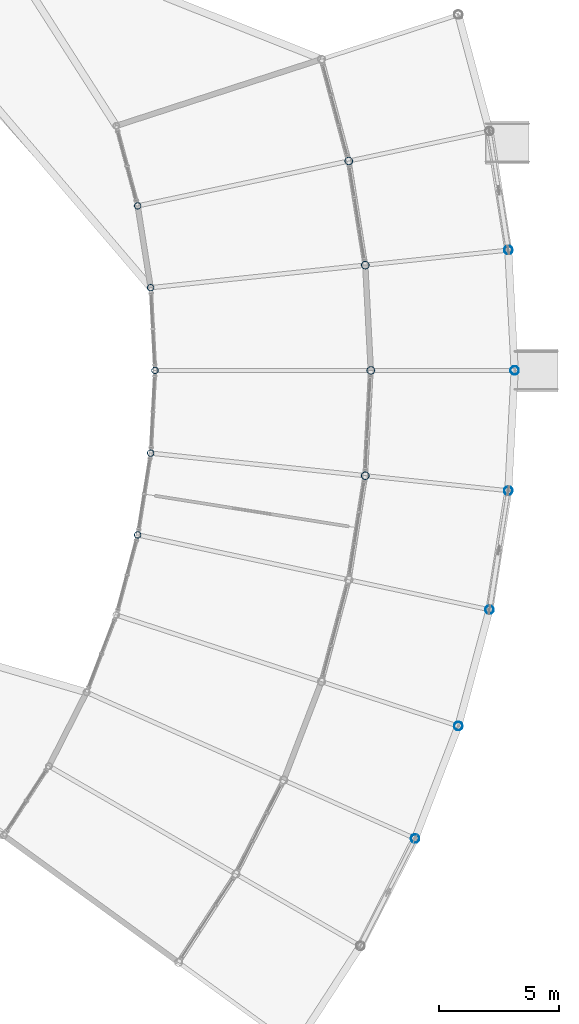
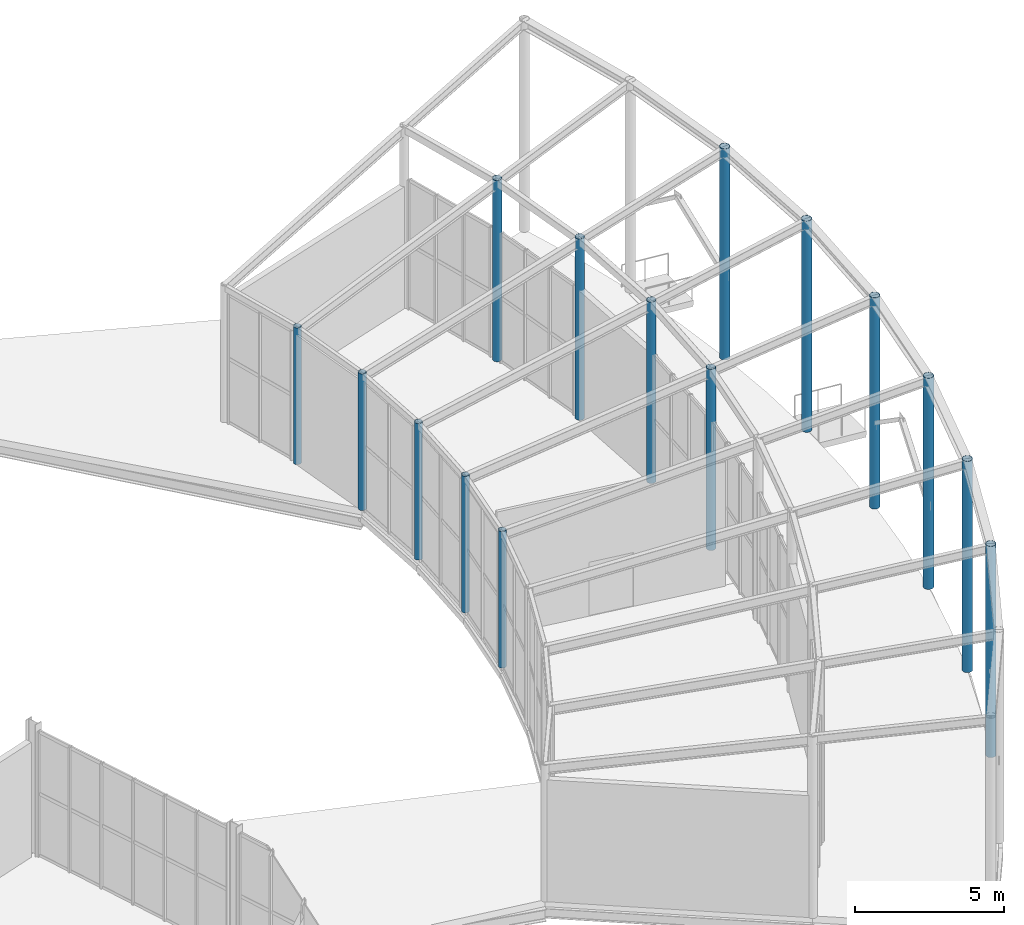
# One storey, part 25 of 158: 15 columns.
"""IFC4 building model written with IfcOpenShell, lengths in metres."""

from ifc_helpers import new_model, si_unit, derived_unit, direction, frame, origin, origin_2d, place, context, subcontext, project, spatial, hollow_circle, extrude, material, material_profile, profile_set, type_object, element, save


model = new_model("IFC4")

# Units and contexts
model_context = context("Model", 3, precision=1e-05, world=origin(), true_north=direction((0.0, 1.0)))
body_context = subcontext(model_context, "Body", "Model", "MODEL_VIEW")
ifc_project = project(units=[si_unit("LENGTHUNIT", "METRE"), si_unit("AREAUNIT", "SQUARE_METRE"), si_unit("VOLUMEUNIT", "CUBIC_METRE"), si_unit("PLANEANGLEUNIT", "RADIAN"), si_unit("MASSUNIT", "GRAM", prefix="KILO"), si_unit("THERMODYNAMICTEMPERATUREUNIT", "KELVIN"), si_unit("TIMEUNIT", "SECOND"), derived_unit("THERMALTRANSMITTANCEUNIT", [(si_unit("MASSUNIT", "GRAM", prefix="KILO"), 1), (si_unit("THERMODYNAMICTEMPERATUREUNIT", "KELVIN"), -1), (si_unit("TIMEUNIT", "SECOND"), -3)])], contexts=[model_context])

# Site, building, storey
site_placement = place(None, origin())
site = spatial("IfcSite", under=ifc_project, at=site_placement, CompositionType="ELEMENT")
building_placement = place(site_placement, origin())
building = spatial("IfcBuilding", under=site, at=building_placement, Name="Cambertide Market Hall", CompositionType="ELEMENT")
storey_placement = place(building_placement, origin())
storey = spatial("IfcBuildingStorey", under=building, at=storey_placement, Name="L01", CompositionType="ELEMENT", Elevation=0.0)

# Columns
ifc_material_1 = material(Name="Steel S355", Category="steel")
ifc_material_profile_1 = material_profile(ifc_material_1, hollow_circle(Radius=0.136474609375, WallThickness=0.010009765625, at=origin_2d()), Name="CHS 273x10")
ifc_profile_set_1 = profile_set([ifc_material_profile_1], Name="Steel S355")
column_type_1 = type_object("IfcColumnType", Name="Exterior Steel Column CHS 273x10", PredefinedType="COLUMN", material=ifc_profile_set_1)
for number, where, z_axis, x_axis, name in (
    (1, (176.27880859375, 59.138916015625, 0.0), (0.0, 0.0, 1.0), (0.978147600734, -0.207911690818, 0.0), "Level 1 Column COL-V5-IN08-L01"),
    (2, (176.8193359375, 62.550537109375, 0.0), (0.0, 0.0, 1.0), (0.994521895368, -0.104528463268, 0.0), "Level 1 Column COL-V5-IN10-L01"),
    (3, (177.0, 66.0, 0.0), (0.0, 0.0, 1.0), (1.0, 0.0, 0.0), "Level 1 Column COL-V5-IN12-L01"),
    (4, (176.8193359375, 69.449462890625, 0.0), (0.0, 0.0, 1.0), (0.994521895368, 0.104528463268, 0.0), "Level 1 Column COL-V5-IN14-L01"),
    (5, (176.27880859375, 72.861083984375, 0.0), (0.0, 0.0, 1.0), (0.978147600734, 0.207911690818, 0.0), "Level 1 Column COL-V5-IN16-L01"),
):
    element("IfcColumn", number, at=place(storey_placement, frame(where, z_axis=z_axis, x_axis=x_axis)), inside=storey, type_object=column_type_1, Name=name, PredefinedType="COLUMN", context=body_context, shape_type="SweptSolid", body=[
        extrude(hollow_circle(Radius=0.136474609375, WallThickness=0.010009765625, at=origin_2d()), origin(), (0.0, 0.0, 1.0), 5.580078125),
    ])
ifc_material_2 = material(Name="Steel S355", Category="steel")
ifc_material_profile_2 = material_profile(ifc_material_2, hollow_circle(Radius=0.161865234375, WallThickness=0.010009765625, at=origin_2d()), Name="CHS 323.9x10")
ifc_profile_set_2 = profile_set([ifc_material_profile_2], Name="Steel S355")
column_type_2 = type_object("IfcColumnType", Name="Exterior Steel Column CHS 323.9x10", PredefinedType="COLUMN", material=ifc_profile_set_2)
for number, where, z_axis, x_axis, name in (
    (6, (185.77001953125, 61.60986328125, 0.0), (0.0, 0.0, 1.0), (0.994521895368, -0.104528463268, 0.0), "Level 1 Column COL-V5-MID10-L01"),
    (7, (186.0, 66.0, 0.0), (0.0, 0.0, 1.0), (1.0, 0.0, 0.0), "Level 1 Column COL-V5-MID12-L01"),
    (8, (185.77001953125, 70.39013671875, 0.0), (0.0, 0.0, 1.0), (0.994521895368, 0.104528463268, 0.0), "Level 1 Column COL-V5-MID14-L01"),
    (9, (185.082275390625, 74.732177734375, 0.0), (0.0, 0.0, 1.0), (0.978147600734, 0.207911690818, 0.0), "Level 1 Column COL-V5-MID16-L01"),
):
    element("IfcColumn", number, at=place(storey_placement, frame(where, z_axis=z_axis, x_axis=x_axis)), inside=storey, type_object=column_type_2, Name=name, PredefinedType="COLUMN", context=body_context, shape_type="SweptSolid", body=[
        extrude(hollow_circle(Radius=0.161865234375, WallThickness=0.010009765625, at=origin_2d()), origin(), (0.0, 0.0, 1.0), 7.409912109375),
    ])
ifc_material_3 = material(Name="Steel S355", Category="steel")
ifc_material_profile_3 = material_profile(ifc_material_3, hollow_circle(Radius=0.177734375, WallThickness=0.012451171875, at=origin_2d()), Name="CHS 355.6x12.5")
ifc_profile_set_3 = profile_set([ifc_material_profile_3], Name="Steel S355")
column_type_3 = type_object("IfcColumnType", Name="Exterior Steel Column CHS 355.6x12.5", PredefinedType="COLUMN", material=ifc_profile_set_3)
for number, where, z_axis, x_axis, name in (
    (10, (187.85009765625, 46.4765625, 0.0), (0.0, 0.0, 1.0), (0.913545457643, -0.406736643076, 0.0), "Level 1 Column COL-V5-OUT04-L01"),
    (11, (189.650634765625, 51.167236328125, 0.0), (0.0, 0.0, 1.0), (0.951056516295, -0.309016994375, 0.0), "Level 1 Column COL-V5-OUT06-L01"),
    (12, (190.951171875, 56.020263671875, 0.0), (0.0, 0.0, 1.0), (0.978147600734, -0.207911690818, 0.0), "Level 1 Column COL-V5-OUT08-L01"),
    (13, (191.737060546875, 60.982666015625, 0.0), (0.0, 0.0, 1.0), (0.994521895368, -0.104528463268, 0.0), "Level 1 Column COL-V5-OUT10-L01"),
    (14, (192.0, 66.0, 0.0), (0.0, 0.0, 1.0), (1.0, 0.0, 0.0), "Level 1 Column COL-V5-OUT12-L01"),
    (15, (191.737060546875, 71.017333984375, 0.0), (0.0, 0.0, 1.0), (0.994521895368, 0.104528463268, 0.0), "Level 1 Column COL-V5-OUT14-L01"),
):
    element("IfcColumn", number, at=place(storey_placement, frame(where, z_axis=z_axis, x_axis=x_axis)), inside=storey, type_object=column_type_3, Name=name, PredefinedType="COLUMN", context=body_context, shape_type="SweptSolid", body=[
        extrude(hollow_circle(Radius=0.177734375, WallThickness=0.012451171875, at=origin_2d()), origin(), (0.0, 0.0, 1.0), 8.6298828125),
    ])

save(model, "model.ifc")
